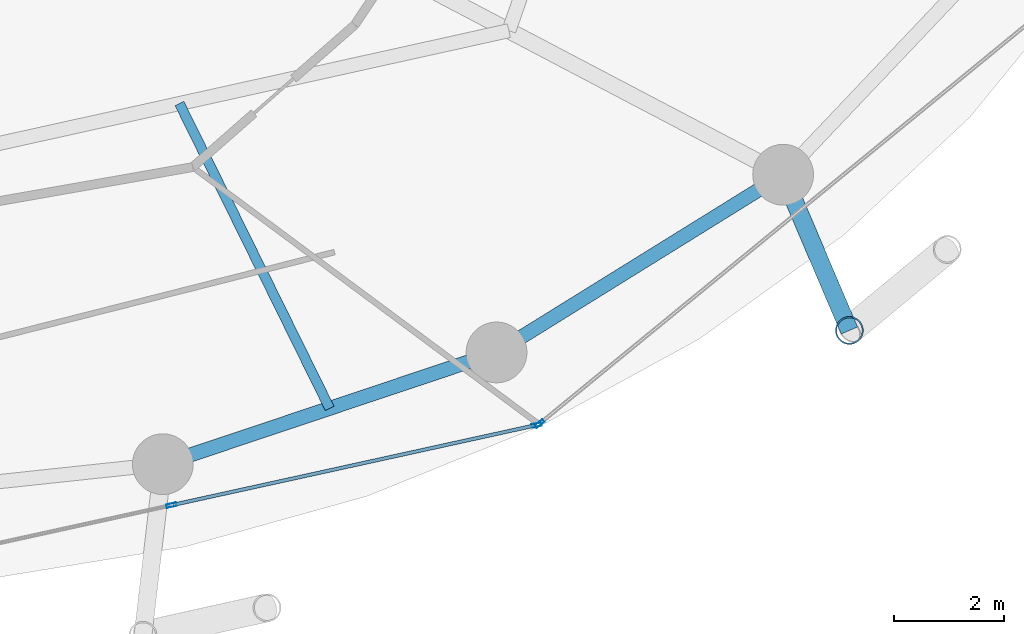
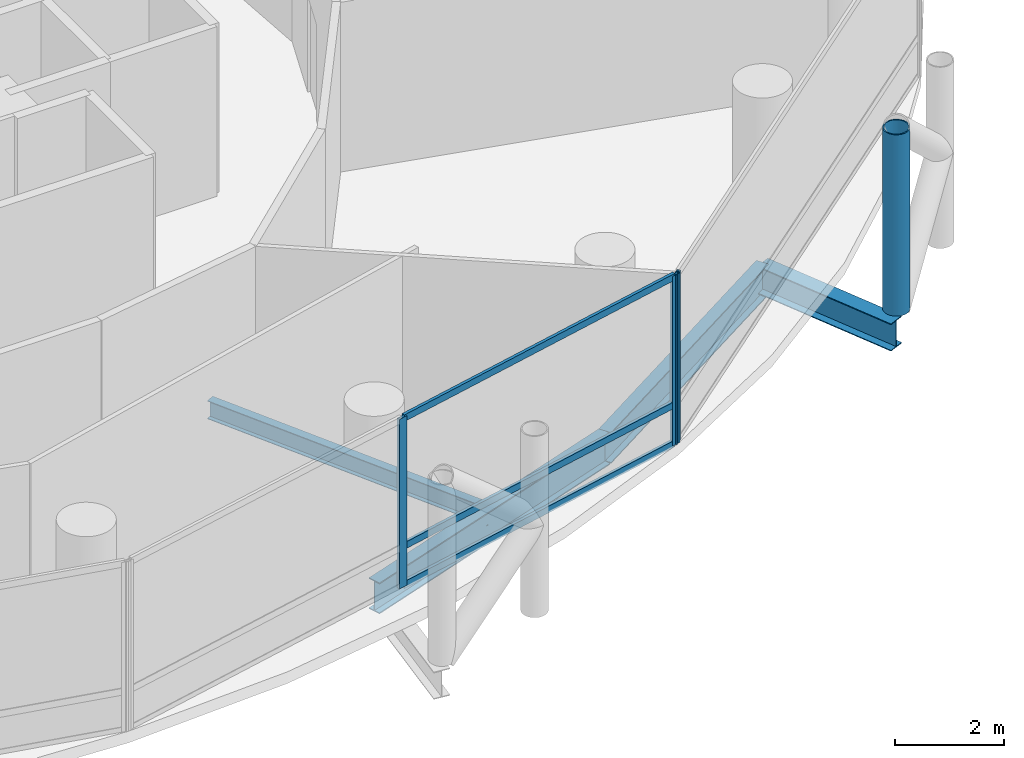
# One storey, part 8 of 24: 7 members, 4 beams, 2 elements without a shape of their own.
"""IFC4 building model written with IfcOpenShell, lengths in metres."""

import ifcopenshell
import ifcopenshell.guid

model = None  # the IFC model being written
_history = None  # IfcOwnerHistory: only IFC2X3 demands one
_inside = {}  # id of a spatial element -> (the spatial element, [elements in it])
_under = {}  # id of a project, library or spatial element -> (it, [spatial elements below it])
_declared = {}  # id of a project -> (the project, [libraries it declares])
_typed = {}  # id of a type object -> (the type object, [elements of that type])
_made_of = {}  # id of a material, layer set ... -> (it, [elements and type objects made of it])


def new_model(schema):
    """Start an empty IFC model of exactly this schema.

    Asked for "IFC4X3", IfcOpenShell would pick the latest addendum, in which some entities
    have other attributes; the version numbers below select the first issue.
    IFC2X3 requires an IfcOwnerHistory on every rooted entity: one is made here for all.
    """
    global model, _history
    if schema == "IFC4X3":
        model = ifcopenshell.file(schema_version=(4, 3, 0, 0))
    else:
        model = ifcopenshell.file(schema=schema)
    _inside.clear()
    _under.clear()
    _declared.clear()
    _typed.clear()
    _made_of.clear()
    _history = None
    if model.schema == "IFC2X3":
        org = make("IfcOrganization", Name="unknown")
        user = make(
            "IfcPersonAndOrganization",
            ThePerson=make("IfcPerson", FamilyName="unknown"),
            TheOrganization=org,
        )
        app = make(
            "IfcApplication",
            ApplicationDeveloper=org,
            Version="unknown",
            ApplicationFullName="unknown",
            ApplicationIdentifier="unknown",
        )
        _history = make(
            "IfcOwnerHistory",
            OwningUser=user,
            OwningApplication=app,
            ChangeAction="ADDED",
            CreationDate=0,
        )
    return model


def make(cls, **values):
    """One entity of the class cls with the attributes given. An attribute that is None is left unset."""
    return model.create_entity(
        cls, **{name: value for name, value in values.items() if value is not None}
    )


def rooted(cls, **values):
    """An entity with a GlobalId (a new one), such as an element, a storey or a relation."""
    return make(cls, GlobalId=ifcopenshell.guid.new(), OwnerHistory=_history, **values)


def si_unit(unit_type, name, prefix=None):
    """IfcSIUnit, for example si_unit("LENGTHUNIT", "METRE", prefix="MILLI")."""
    return make("IfcSIUnit", UnitType=unit_type, Prefix=prefix, Name=name)


def assignment(units):
    """IfcUnitAssignment: the units of a project."""
    return None if units is None else make("IfcUnitAssignment", Units=units)


def point(xyz):
    """IfcCartesianPoint."""
    return None if xyz is None else make("IfcCartesianPoint", Coordinates=xyz)


def direction(xyz):
    """IfcDirection."""
    return None if xyz is None else make("IfcDirection", DirectionRatios=xyz)


def frame(location, z_axis=None, x_axis=None):
    """IfcAxis2Placement3D, a coordinate frame: its origin and axes. An axis left out is left unset."""
    return make(
        "IfcAxis2Placement3D",
        Location=point(location),
        Axis=direction(z_axis),
        RefDirection=direction(x_axis),
    )


def frame_2d(location, x_axis=None):
    """IfcAxis2Placement2D, a coordinate frame in the plane: its origin and x axis."""
    return make(
        "IfcAxis2Placement2D", Location=point(location), RefDirection=direction(x_axis)
    )


def origin():
    """The frame at (0, 0, 0) with its axes left unset."""
    return frame((0.0, 0.0, 0.0))


def origin_2d():
    """The frame at (0, 0) in the plane with its x axis left unset."""
    return frame_2d((0.0, 0.0))


def place(relative_to, where):
    """IfcLocalPlacement: puts the frame where relative to a parent placement (None: the world)."""
    return make(
        "IfcLocalPlacement", PlacementRelTo=relative_to, RelativePlacement=where
    )


def context(
    kind, dimensions, precision=None, world=None, true_north=None, identifier=None
):
    """IfcGeometricRepresentationContext, for example the 3D "Model" context."""
    return make(
        "IfcGeometricRepresentationContext",
        ContextIdentifier=identifier,
        ContextType=kind,
        CoordinateSpaceDimension=dimensions,
        Precision=precision,
        WorldCoordinateSystem=world,
        TrueNorth=true_north,
    )


def subcontext(parent, identifier, kind, view, scale=None):
    """IfcGeometricRepresentationSubContext, for example "Body" below "Model"."""
    return make(
        "IfcGeometricRepresentationSubContext",
        ContextIdentifier=identifier,
        ContextType=kind,
        ParentContext=parent,
        TargetScale=scale,
        TargetView=view,
    )


def project(units=None, contexts=None):
    """IfcProject with its units and contexts."""
    return rooted(
        "IfcProject",
        Name="project",
        RepresentationContexts=contexts,
        UnitsInContext=assignment(units),
    )


def spatial(cls, under=None, at=None, **own):
    """A site, building, storey or space (cls), placed at a placement, below another one or the project."""
    s = rooted(cls, ObjectPlacement=at, **own)
    if under is not None:
        _under.setdefault(under.id(), (under, []))[1].append(s)
    return s


def profile(cls, at=None, kind="AREA", **sizes):
    """A parametric profile (cls). Its sizes go by their IFC names, for example OverallWidth=200.0."""
    return make(cls, ProfileType=kind, Position=at, **sizes)


def hollow_rectangle(**sizes):
    """IfcRectangleHollowProfileDef."""
    return profile("IfcRectangleHollowProfileDef", **sizes)


def hollow_circle(**sizes):
    """IfcCircleHollowProfileDef."""
    return profile("IfcCircleHollowProfileDef", **sizes)


def i_section(**sizes):
    """IfcIShapeProfileDef."""
    return profile("IfcIShapeProfileDef", **sizes)


def extrude(swept, where, along, depth):
    """IfcExtrudedAreaSolid: the profile swept, set in the frame where, extruded along a direction by depth."""
    return make(
        "IfcExtrudedAreaSolid",
        SweptArea=swept,
        Position=where,
        ExtrudedDirection=direction(along),
        Depth=depth,
    )


def shape(context_of_items, identifier, shape_type, items):
    """IfcShapeRepresentation: the items that make up one representation, for example the "Body"."""
    return make(
        "IfcShapeRepresentation",
        ContextOfItems=context_of_items,
        RepresentationIdentifier=identifier,
        RepresentationType=shape_type,
        Items=items,
    )


def material(Name=None, Category=None):
    """IfcMaterial."""
    return make("IfcMaterial", Name=Name, Category=Category)


def layer(
    of_material, thickness, ventilated=None, Name=None, Category=None, Priority=None
):
    """IfcMaterialLayer: one layer of a wall or slab, of a material (None: an air gap)."""
    return make(
        "IfcMaterialLayer",
        Material=of_material,
        LayerThickness=thickness,
        IsVentilated=ventilated,
        Name=Name,
        Category=Category,
        Priority=Priority,
    )


def layer_set(layers, Name=None):
    """IfcMaterialLayerSet."""
    return make("IfcMaterialLayerSet", MaterialLayers=layers, LayerSetName=Name)


def material_profile(
    of_material, cross_section, Name=None, Category=None, Priority=None
):
    """IfcMaterialProfile: a cross section and its material."""
    return make(
        "IfcMaterialProfile",
        Name=Name,
        Material=of_material,
        Profile=cross_section,
        Priority=Priority,
        Category=Category,
    )


def profile_set(profiles, Name=None, composite=None):
    """IfcMaterialProfileSet."""
    return make(
        "IfcMaterialProfileSet",
        Name=Name,
        MaterialProfiles=profiles,
        CompositeProfile=composite,
    )


def made_of(thing, what):
    """Note that an element or type object is made of a material, layer set ...; save() writes the relation."""
    if what is not None:
        _made_of.setdefault(what.id(), (what, []))[1].append(thing)
    return thing


def type_object(cls, material=None, **own):
    """A type object (cls), such as IfcWallType, which elements share."""
    return made_of(rooted(cls, **own), material)


def element(
    cls,
    number,
    at=None,
    inside=None,
    cuts=None,
    type_object=None,
    material=None,
    context=None,
    identifier="Body",
    shape_type=None,
    held_by="IfcProductDefinitionShape",
    body=None,
    shapes=None,
    **own,
):
    """One element of the class cls, such as IfcWall. Its Tag is "e" and its number.

    at: its placement. inside: the storey or other place that contains it. cuts: it is an
    opening in that element (IfcRelVoidsElement). A single representation is given by context,
    identifier, shape_type and body (its items); several are given by shapes. held_by: the class
    of the entity that holds the representations. save() writes the other relations.
    """
    e = rooted(cls, Tag="e%d" % number, ObjectPlacement=at, **own)
    if body is not None:
        shapes = [shape(context, identifier, shape_type, body)]
    if shapes is not None:
        e.Representation = make(held_by, Representations=shapes)
    if inside is not None:
        _inside.setdefault(inside.id(), (inside, []))[1].append(e)
    if cuts is not None:
        rooted(
            "IfcRelVoidsElement", RelatingBuildingElement=cuts, RelatedOpeningElement=e
        )
    if type_object is not None:
        _typed.setdefault(type_object.id(), (type_object, []))[1].append(e)
    return made_of(e, material)


def aggregate(whole, parts):
    """IfcRelAggregates: a whole, such as a stair, and the parts it consists of."""
    return rooted("IfcRelAggregates", RelatingObject=whole, RelatedObjects=parts)


def save(model, path):
    """Write the relations noted so far, then the file.

    IfcRelAggregates (storeys below a building ...), IfcRelContainedInSpatialStructure (elements
    in a storey), IfcRelDefinesByType, IfcRelAssociatesMaterial and IfcRelDeclares: one each for
    every whole, place, type object, material and project.
    """
    for whole, parts in _under.values():
        aggregate(whole, parts)
    for where, things in _inside.values():
        rooted(
            "IfcRelContainedInSpatialStructure",
            RelatedElements=things,
            RelatingStructure=where,
        )
    for kind, things in _typed.values():
        rooted("IfcRelDefinesByType", RelatedObjects=things, RelatingType=kind)
    for what, things in _made_of.values():
        rooted("IfcRelAssociatesMaterial", RelatedObjects=things, RelatingMaterial=what)
    for by, libraries in _declared.values():
        rooted("IfcRelDeclares", RelatingContext=by, RelatedDefinitions=libraries)
    model.write(path)


model = new_model("IFC4")

# Units and contexts
model_context = context("Model", 3, precision=1e-05, world=origin(), true_north=direction((0.0, 1.0)))
body_context = subcontext(model_context, "Body", "Model", "MODEL_VIEW")
ifc_project = project(units=[si_unit("LENGTHUNIT", "METRE"), si_unit("AREAUNIT", "SQUARE_METRE"), si_unit("VOLUMEUNIT", "CUBIC_METRE"), si_unit("PLANEANGLEUNIT", "RADIAN"), si_unit("MASSUNIT", "GRAM", prefix="KILO")], contexts=[model_context])

# Site, building, storey
site_placement = place(None, origin())
site = spatial("IfcSite", under=ifc_project, at=site_placement, CompositionType="ELEMENT")
building_placement = place(site_placement, origin())
building = spatial("IfcBuilding", under=site, at=building_placement, Name="Nuhasar Tower", CompositionType="ELEMENT")
storey_placement = place(building_placement, frame((0.0, 0.0, 33.14990234375)))
storey = spatial("IfcBuildingStorey", under=building, at=storey_placement, Name="L07", CompositionType="ELEMENT", Elevation=33.14990234375)

# Beams
ifc_material_1 = material(Name="Steel S355", Category="steel")
ifc_material_profile_1 = material_profile(ifc_material_1, i_section(OverallWidth=0.177978515625, OverallDepth=0.406005859375, WebThickness=0.0078125, FlangeThickness=0.0126953125, at=origin_2d()), Name="W16X40")
ifc_profile_set_1 = profile_set([ifc_material_profile_1], Name="Steel S355")
beam_type_1 = type_object("IfcBeamType", Name="BM-JST-W16X40", PredefinedType="JOIST", material=ifc_profile_set_1)
beam_1_placement = place(storey_placement, frame((45.783935546875, 13.77001953125, -0.462890625), z_axis=(0.442126747458, -0.89695258469, 0.0), x_axis=(0.89695258469, 0.442126747458, 0.0)))
element("IfcBeam", 1, at=beam_1_placement, inside=storey, type_object=beam_type_1, Name="L07 Secondary Floor Joist 02", PredefinedType="JOIST", context=body_context, shape_type="SweptSolid", body=[
    extrude(i_section(OverallWidth=0.177978515625, OverallDepth=0.406005859375, WebThickness=0.0078125, FlangeThickness=0.0126953125, at=origin_2d()), origin(), (0.0, 0.0, 1.0), 6.152099609375),
])
ifc_material_profile_2 = material_profile(ifc_material_1, i_section(OverallWidth=0.256103515625, OverallDepth=0.693115234375, WebThickness=0.014404296875, FlangeThickness=0.023681640625, at=origin_2d()), Name="W27X114")
ifc_profile_set_2 = profile_set([ifc_material_profile_2], Name="Steel S355")
beam_type_2 = type_object("IfcBeamType", Name="BM-RING-W27X114", PredefinedType="SPANDREL", material=ifc_profile_set_2)
beam_2_placement = place(storey_placement, frame((45.48291015625, 7.239990234375, -0.60595703125), z_axis=(0.94826097201, 0.317491935271, 0.0), x_axis=(-0.317491935271, 0.94826097201, 0.0)))
element("IfcBeam", 2, at=beam_2_placement, inside=storey, type_object=beam_type_2, Name="L07 Perimeter Ring Spandrel 20", PredefinedType="SPANDREL", context=body_context, shape_type="SweptSolid", body=[
    extrude(i_section(OverallWidth=0.256103515625, OverallDepth=0.693115234375, WebThickness=0.014404296875, FlangeThickness=0.023681640625, at=origin_2d()), origin(), (0.0, 0.0, 1.0), 6.37158203125),
])
beam_3_placement = place(storey_placement, frame((51.52490234375, 9.262939453125, -0.60595703125), z_axis=(0.849795216549, 0.527112976439, 0.0), x_axis=(-0.527112976439, 0.849795216549, 0.0)))
element("IfcBeam", 3, at=beam_3_placement, inside=storey, type_object=beam_type_2, Name="L07 Perimeter Ring Spandrel 21", PredefinedType="SPANDREL", context=body_context, shape_type="SweptSolid", body=[
    extrude(i_section(OverallWidth=0.256103515625, OverallDepth=0.693115234375, WebThickness=0.014404296875, FlangeThickness=0.023681640625, at=origin_2d()), origin(), (0.0, 0.0, 1.0), 6.10498046875),
])
ifc_material_profile_3 = material_profile(ifc_material_1, i_section(OverallWidth=0.323974609375, OverallDepth=0.611083984375, WebThickness=0.0126953125, FlangeThickness=0.01904296875, at=origin_2d()), Name="W24X104")
ifc_profile_set_3 = profile_set([ifc_material_profile_3], Name="Steel S355")
beam_type_3 = type_object("IfcBeamType", Name="BM-TIE-W24X104", PredefinedType="BEAM", material=ifc_profile_set_3)
beam_4_placement = place(storey_placement, frame((56.712890625, 12.48095703125, -0.56591796875), z_axis=(0.391601084021, -0.920135093882, 0.0), x_axis=(0.920135093882, 0.391601084021, 0.0)))
element("IfcBeam", 4, at=beam_4_placement, inside=storey, type_object=beam_type_3, Name="L07 Exoskeleton Node Tie Beam 11", PredefinedType="BEAM", context=body_context, shape_type="SweptSolid", body=[
    extrude(i_section(OverallWidth=0.323974609375, OverallDepth=0.611083984375, WebThickness=0.0126953125, FlangeThickness=0.01904296875, at=origin_2d()), origin(), (0.0, 0.0, 1.0), 3.06494140625),
])

# Curtain wall, members
ifc_material_2 = material(Name="Aluminium 6063-T6", Category="aluminium")
ifc_layer = layer(ifc_material_2, 0.199951171875)
ifc_layer_set = layer_set([ifc_layer], Name="Aluminium 6063-T6")
curtain_wall_type = type_object("IfcCurtainWallType", Name="CW-Z1-OFF", PredefinedType="NOTDEFINED", material=ifc_layer_set)
curtain_wall_1_placement = place(storey_placement, origin())
curtain_wall_1 = element("IfcCurtainWall", 5, at=curtain_wall_1_placement, inside=storey, type_object=curtain_wall_type, Name="L07 Unitised Curtain Wall 10", PredefinedType="NOTDEFINED")
ifc_material_profile_4 = material_profile(ifc_material_2, hollow_rectangle(XDim=0.06494140625, YDim=0.179931640625, WallThickness=0.0048828125, at=origin_2d()), Name="CWM-2")
ifc_profile_set_4 = profile_set([ifc_material_profile_4], Name="Aluminium 6063-T6")
member_type_1 = type_object("IfcMemberType", Name="CW-MUL-S2", PredefinedType="MULLION", material=ifc_profile_set_4)
member_1_placement = place(storey_placement, frame((45.639892578125, 6.49755859375, 0.0), z_axis=(0.0, 0.0, 1.0), x_axis=(-0.214398737637, 0.976746221544, 0.0)))
member_1 = element("IfcMember", 6, at=member_1_placement, type_object=member_type_1, Name="CW-Z1 mullion 2", PredefinedType="MULLION", context=body_context, shape_type="SweptSolid", body=[
    extrude(hollow_rectangle(XDim=0.06494140625, YDim=0.179931640625, WallThickness=0.0048828125, at=origin_2d()), origin(), (0.0, 0.0, 1.0), 3.7900390625),
])
member_2_placement = place(storey_placement, frame((52.248291015625, 7.947998046875, 0.0), z_axis=(0.0, 0.0, 1.0), x_axis=(-0.214398737637, 0.976746221544, 0.0)))
member_2 = element("IfcMember", 7, at=member_2_placement, type_object=member_type_1, Name="CW-Z1 mullion 3", PredefinedType="MULLION", context=body_context, shape_type="SweptSolid", body=[
    extrude(hollow_rectangle(XDim=0.06494140625, YDim=0.179931640625, WallThickness=0.0048828125, at=origin_2d()), origin(), (0.0, 0.0, 1.0), 3.7900390625),
])

# Curtain wall, member
curtain_wall_2_placement = place(storey_placement, origin())
curtain_wall_2 = element("IfcCurtainWall", 8, at=curtain_wall_2_placement, inside=storey, type_object=curtain_wall_type, Name="L07 Unitised Curtain Wall 11", PredefinedType="NOTDEFINED")
member_3_placement = place(storey_placement, frame((52.30517578125, 7.9755859375, 0.0), z_axis=(0.0, 0.0, 1.0), x_axis=(-0.633744593376, 0.773542364946, 0.0)))
member_3 = element("IfcMember", 9, at=member_3_placement, type_object=member_type_1, Name="CW-Z1 mullion 1", PredefinedType="MULLION", context=body_context, shape_type="SweptSolid", body=[
    extrude(hollow_rectangle(XDim=0.06494140625, YDim=0.179931640625, WallThickness=0.0048828125, at=origin_2d()), origin(), (0.0, 0.0, 1.0), 3.7900390625),
])
aggregate(curtain_wall_2, [member_3])

# Member
ifc_material_profile_5 = material_profile(ifc_material_2, hollow_rectangle(XDim=0.06494140625, YDim=0.14990234375, WallThickness=0.00439453125, at=origin_2d()), Name="CWT-2")
ifc_profile_set_5 = profile_set([ifc_material_profile_5], Name="Aluminium 6063-T6")
member_type_2 = type_object("IfcMemberType", Name="CW-TRN-S2", PredefinedType="USERDEFINED", material=ifc_profile_set_5)
member_4_placement = place(storey_placement, frame((45.671630859375, 6.50439453125, 0.03271484375), z_axis=(0.976741923778, 0.214418316228, 0.0), x_axis=(-0.214418316228, 0.976741923778, 0.0)))
member_4 = element("IfcMember", 10, at=member_4_placement, type_object=member_type_2, Name="CW-Z1 transom 2.1", ObjectType="TRANSOM", PredefinedType="USERDEFINED", context=body_context, shape_type="SweptSolid", body=[
    extrude(hollow_rectangle(XDim=0.06494140625, YDim=0.14990234375, WallThickness=0.00439453125, at=origin_2d()), origin(), (0.0, 0.0, 1.0), 6.70068359375),
])

member_5_placement = place(storey_placement, frame((45.671630859375, 6.50439453125, 0.900146484375), z_axis=(0.976741923778, 0.214418316228, 0.0), x_axis=(-0.214418316228, 0.976741923778, 0.0)))
member_5 = element("IfcMember", 11, at=member_5_placement, type_object=member_type_2, Name="CW-Z1 transom 2.2", ObjectType="TRANSOM", PredefinedType="USERDEFINED", context=body_context, shape_type="SweptSolid", body=[
    extrude(hollow_rectangle(XDim=0.06494140625, YDim=0.14990234375, WallThickness=0.00439453125, at=origin_2d()), origin(), (0.0, 0.0, 1.0), 6.70068359375),
])

member_6_placement = place(storey_placement, frame((45.671630859375, 6.50439453125, 3.757568359375), z_axis=(0.976741923778, 0.214418316228, 0.0), x_axis=(-0.214418316228, 0.976741923778, 0.0)))
member_6 = element("IfcMember", 12, at=member_6_placement, type_object=member_type_2, Name="CW-Z1 transom 2.3", ObjectType="TRANSOM", PredefinedType="USERDEFINED", context=body_context, shape_type="SweptSolid", body=[
    extrude(hollow_rectangle(XDim=0.06494140625, YDim=0.14990234375, WallThickness=0.00439453125, at=origin_2d()), origin(), (0.0, 0.0, 1.0), 6.70068359375),
])

aggregate(curtain_wall_1, [member_1, member_2, member_4, member_5, member_6])

ifc_material_3 = material(Name="Steel S460", Category="steel")
ifc_material_profile_6 = material_profile(ifc_material_3, hollow_circle(Radius=0.25390625, WallThickness=0.025390625, at=origin_2d()), Name="HSS508X25.4")
ifc_profile_set_6 = profile_set([ifc_material_profile_6], Name="Steel S460")
member_type_3 = type_object("IfcMemberType", Name="EXO-BRONZE-508", PredefinedType="BRACE", material=ifc_profile_set_6)
member_7_placement = place(storey_placement, frame((57.9130859375, 9.660888671875, 0.0), z_axis=(0.0, 0.0, 1.0), x_axis=(1.0, 0.0, 0.0)))
element("IfcMember", 13, at=member_7_placement, inside=storey, type_object=member_type_3, Name="L07 Exoskeleton Chord Column EC-11A", PredefinedType="BRACE", context=body_context, shape_type="SweptSolid", body=[
    extrude(hollow_circle(Radius=0.25390625, WallThickness=0.025390625, at=origin_2d()), origin(), (0.0, 0.0, 1.0), 4.050048828125),
])

save(model, "model.ifc")
